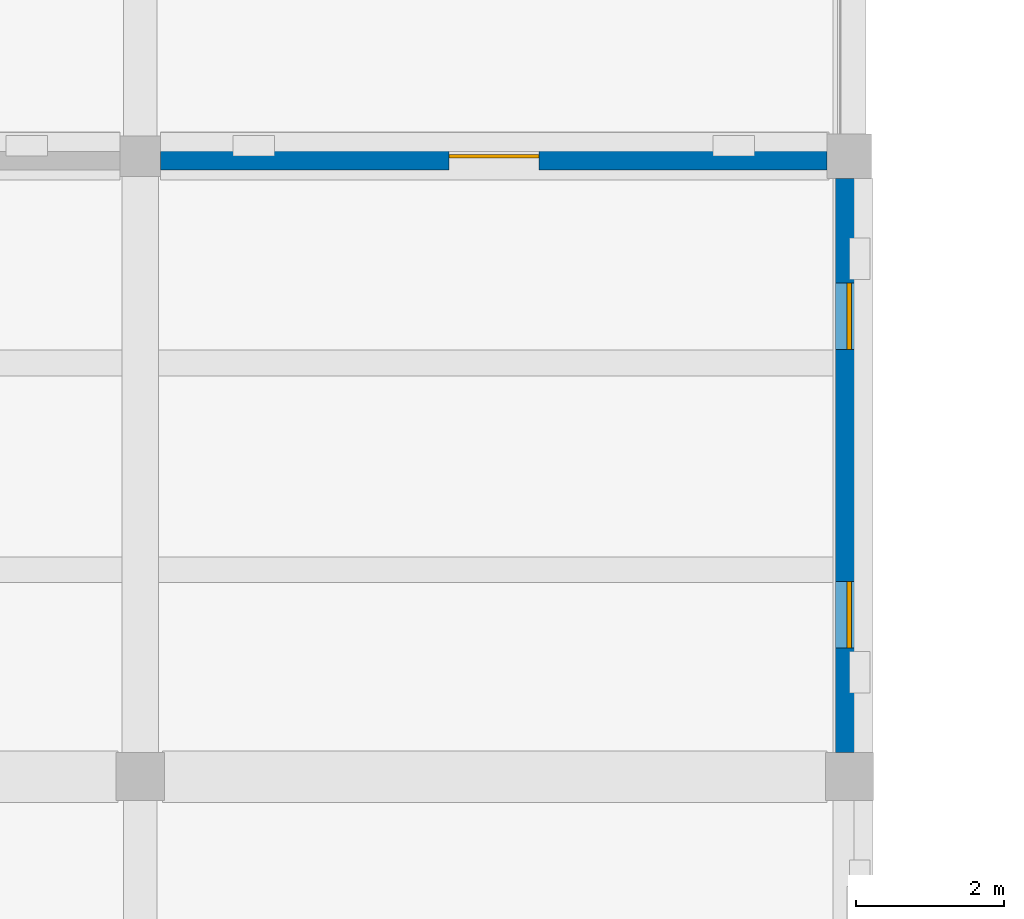
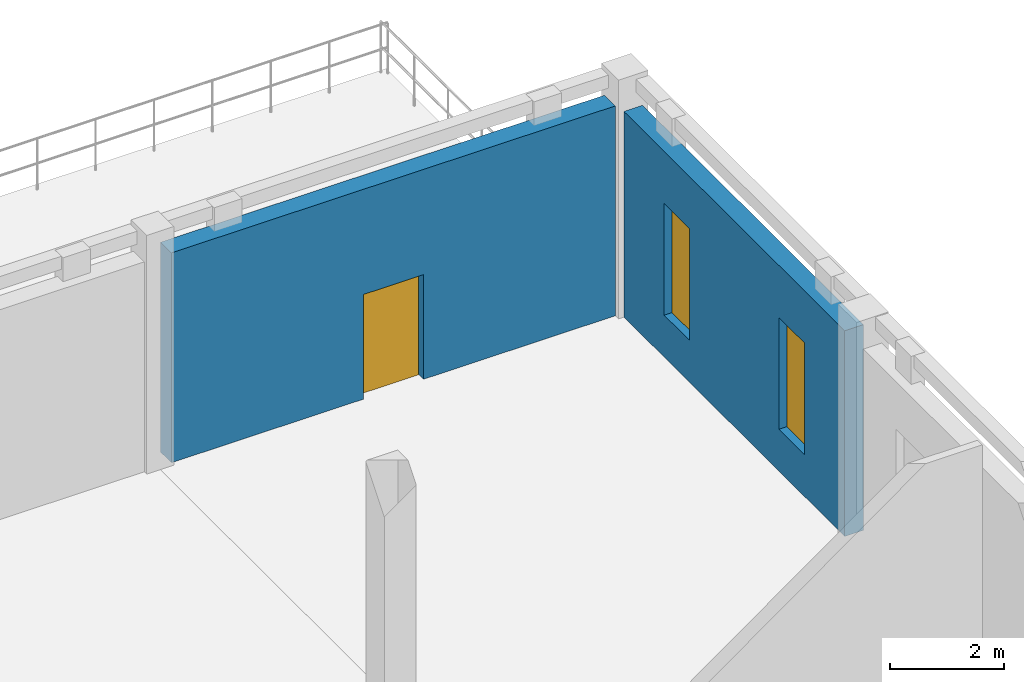
# One storey, part 57 of 71: 2 walls, 2 windows, 1 door, 3 openings.
"""IFC4 building model written with IfcOpenShell, lengths in metres."""

from ifc_helpers import new_model, si_unit, direction, frame, frame_2d, origin, place, context, subcontext, project, spatial, rectangle, extrude, material, layer, layer_set, type_object, element, fill, save


model = new_model("IFC4")

# Units and contexts
model_context = context("Model", 3, precision=1e-05, world=origin(), true_north=direction((0.0, 1.0)))
body_context = subcontext(model_context, "Body", "Model", "MODEL_VIEW")
ifc_project = project(units=[si_unit("LENGTHUNIT", "METRE"), si_unit("AREAUNIT", "SQUARE_METRE"), si_unit("VOLUMEUNIT", "CUBIC_METRE"), si_unit("PLANEANGLEUNIT", "RADIAN"), si_unit("MASSUNIT", "GRAM", prefix="KILO")], contexts=[model_context])

# Site, building, storey
site_placement = place(None, origin())
site = spatial("IfcSite", under=ifc_project, at=site_placement, CompositionType="ELEMENT")
building_placement = place(site_placement, origin())
building = spatial("IfcBuilding", under=site, at=building_placement, Name="Lornevale Opera House", CompositionType="ELEMENT")
storey_placement = place(building_placement, origin())
storey = spatial("IfcBuildingStorey", under=building, at=storey_placement, Name="L01", CompositionType="ELEMENT", Elevation=0.0)

# Wall, opening, door
ifc_material_1 = material(Name="Credit Valley Sandstone Ashlar Masonry (25 MPa)", Category="masonry")
ifc_layer_1 = layer(ifc_material_1, 0.3798828125)
ifc_layer_set_1 = layer_set([ifc_layer_1], Name="Credit Valley Sandstone Ashlar Masonry (25 MPa)")
wall_type = type_object("IfcWallType", Name="Sandstone Plinth Bearing Wall 380", PredefinedType="SOLIDWALL", material=ifc_layer_set_1)
wall_1_placement = place(storey_placement, frame((115.47509765625, 109.199951171875, 0.0), z_axis=(0.0, 0.0, 1.0), x_axis=(1.0, 0.0, 0.0)))
wall_1 = element("IfcWall", 1, at=wall_1_placement, inside=storey, type_object=wall_type, Name="Sandstone Plinth Bearing Wall 380 WL-EXT-0174", PredefinedType="SOLIDWALL", context=body_context, shape_type="SweptSolid", body=[
    extrude(rectangle(XDim=9.02490234375, YDim=0.3798828125, at=frame_2d((4.512451171875, 0.0))), origin(), (0.0, 0.0, 1.0), 4.510009765625),
])
opening_1_placement = place(wall_1_placement, frame((3.903076171875, 0.0, 0.0)))
opening_1 = element("IfcOpeningElement", 2, at=opening_1_placement, cuts=wall_1, Name="Opening DR-T05", PredefinedType="OPENING", context=body_context, shape_type="SweptSolid", body=[
    extrude(rectangle(XDim=1.219970703125, YDim=2.25, at=frame_2d((0.60986328125, 1.125))), frame((0.0, 0.199951171875, 0.0), z_axis=(0.0, -1.0, 0.0), x_axis=(1.0, 0.0, 0.0)), (0.0, 0.0, 1.0), 0.39990234375),
])
ifc_material_2 = material(Name="Painted Hollow Metal Door Steel", Category="steel")
ifc_layer_2 = layer(ifc_material_2, 0.050048828125)
ifc_layer_set_2 = layer_set([ifc_layer_2], Name="Painted Hollow Metal Door Steel")
door_type = type_object("IfcDoorType", Name="Exterior Final Exit Door 1220x2250", OperationType="NOTDEFINED", PredefinedType="DOOR", material=ifc_layer_set_2)
door_placement = place(opening_1_placement, origin())
door = element("IfcDoor", 3, at=door_placement, inside=storey, type_object=door_type, Name="Exterior Final Exit Door 1220x2250 DR-EXT-027", OperationType="SINGLE_SWING_RIGHT", OverallHeight=2.25, OverallWidth=1.219970703125, PredefinedType="DOOR", context=body_context, shape_type="SweptSolid", body=[
    extrude(rectangle(XDim=1.219970703125, YDim=2.25, at=frame_2d((0.60986328125, 1.125))), frame((0.0, 0.02490234375, 0.0), z_axis=(0.0, -1.0, 0.0), x_axis=(1.0, 0.0, 0.0)), (0.0, 0.0, 1.0), 0.050048828125),
])
fill(opening_1, door)

# Wall, openings, windows
wall_2_placement = place(storey_placement, frame((124.800048828125, 108.89990234375, 0.0), z_axis=(0.0, 0.0, 1.0), x_axis=(0.0, -1.0, 0.0)))
wall_2 = element("IfcWall", 4, at=wall_2_placement, inside=storey, type_object=wall_type, Name="Sandstone Plinth Bearing Wall 380 WL-EXT-0175", PredefinedType="SOLIDWALL", context=body_context, shape_type="SweptSolid", body=[
    extrude(rectangle(XDim=7.77490234375, YDim=0.3798828125, at=frame_2d((3.887451171875, 0.0))), origin(), (0.0, 0.0, 1.0), 4.419921875),
])
opening_2_placement = place(wall_2_placement, frame((1.416015625, 0.0, 0.89990234375)))
opening_2 = element("IfcOpeningElement", 5, at=opening_2_placement, cuts=wall_2, Name="Opening WN-T15", PredefinedType="OPENING", context=body_context, shape_type="SweptSolid", body=[
    extrude(rectangle(XDim=0.89990234375, YDim=2.39990234375, at=frame_2d((0.449951171875, 1.199951171875))), frame((0.0, 0.199951171875, 0.0), z_axis=(0.0, -1.0, 0.0), x_axis=(1.0, 0.0, 0.0)), (0.0, 0.0, 1.0), 0.39990234375),
])
opening_3_placement = place(wall_2_placement, frame((5.458984375, 0.0, 0.89990234375)))
opening_3 = element("IfcOpeningElement", 6, at=opening_3_placement, cuts=wall_2, Name="Opening WN-T15", PredefinedType="OPENING", context=body_context, shape_type="SweptSolid", body=[
    extrude(rectangle(XDim=0.89990234375, YDim=2.39990234375, at=frame_2d((0.449951171875, 1.199951171875))), frame((0.0, 0.199951171875, 0.0), z_axis=(0.0, -1.0, 0.0), x_axis=(1.0, 0.0, 0.0)), (0.0, 0.0, 1.0), 0.39990234375),
])
ifc_material_3 = material(Name="Triple Low-E Insulated Glazing", Category="glass")
ifc_layer_3 = layer(ifc_material_3, 0.06005859375)
ifc_layer_set_3 = layer_set([ifc_layer_3], Name="Triple Low-E Insulated Glazing")
window_type = type_object("IfcWindowType", Name="Archive Slit Window 900x2400", PartitioningType="NOTDEFINED", PredefinedType="WINDOW", material=ifc_layer_set_3)
window_1_placement = place(opening_2_placement, origin())
window_1 = element("IfcWindow", 7, at=window_1_placement, inside=storey, type_object=window_type, Name="Archive Slit Window 900x2400 WN-0025", OverallHeight=2.39990234375, OverallWidth=0.89990234375, PartitioningType="SINGLE_PANEL", PredefinedType="WINDOW", context=body_context, shape_type="SweptSolid", body=[
    extrude(rectangle(XDim=0.89990234375, YDim=2.39990234375, at=frame_2d((0.449951171875, 1.199951171875))), frame((0.0, 0.030029296875, 0.0), z_axis=(0.0, -1.0, 0.0), x_axis=(1.0, 0.0, 0.0)), (0.0, 0.0, 1.0), 0.06005859375),
])
fill(opening_2, window_1)
window_2_placement = place(opening_3_placement, origin())
window_2 = element("IfcWindow", 8, at=window_2_placement, inside=storey, type_object=window_type, Name="Archive Slit Window 900x2400 WN-0026", OverallHeight=2.39990234375, OverallWidth=0.89990234375, PartitioningType="SINGLE_PANEL", PredefinedType="WINDOW", context=body_context, shape_type="SweptSolid", body=[
    extrude(rectangle(XDim=0.89990234375, YDim=2.39990234375, at=frame_2d((0.449951171875, 1.199951171875))), frame((0.0, 0.030029296875, 0.0), z_axis=(0.0, -1.0, 0.0), x_axis=(1.0, 0.0, 0.0)), (0.0, 0.0, 1.0), 0.06005859375),
])
fill(opening_3, window_2)

save(model, "model.ifc")
